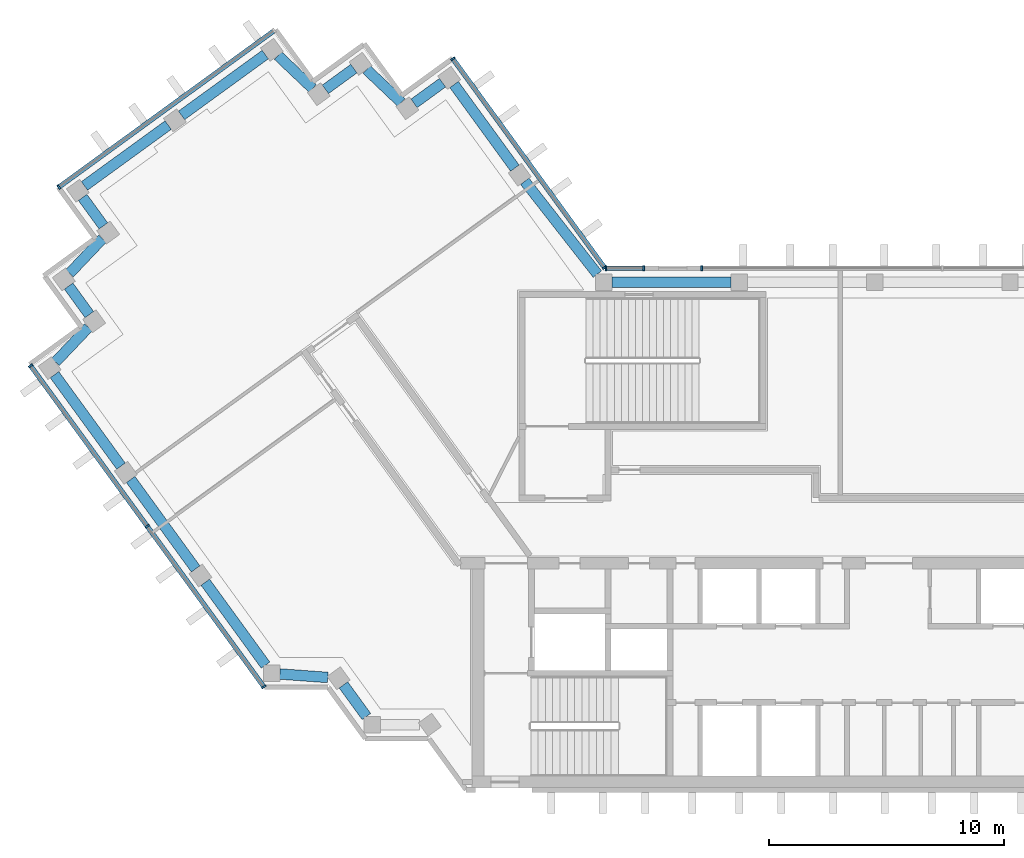
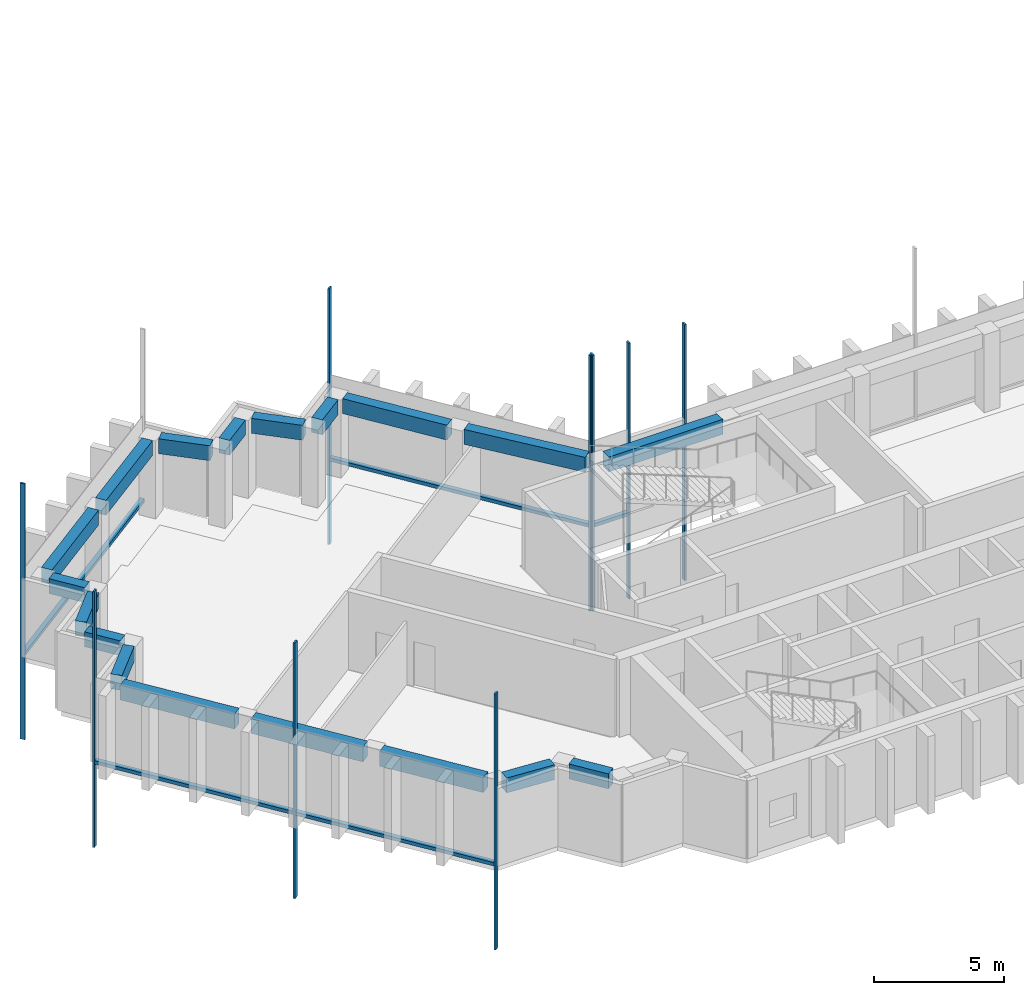
# One storey, part 2 of 14: 18 beams, 14 members, 5 elements without a shape of their own.
"""IFC4 building model written with IfcOpenShell, lengths in metres."""

from ifc_helpers import new_model, si_unit, direction, frame, origin, origin_2d, place, context, subcontext, project, spatial, rectangle, extrude, material, material_profile, profile_set, type_object, element, aggregate, save


model = new_model("IFC4")

# Units and contexts
model_context = context("Model", 3, precision=1e-05, world=origin(), true_north=direction((0.0, 1.0)))
body_context = subcontext(model_context, "Body", "Model", "MODEL_VIEW")
ifc_project = project(units=[si_unit("LENGTHUNIT", "METRE"), si_unit("AREAUNIT", "SQUARE_METRE"), si_unit("VOLUMEUNIT", "CUBIC_METRE"), si_unit("PLANEANGLEUNIT", "RADIAN"), si_unit("MASSUNIT", "GRAM", prefix="KILO")], contexts=[model_context])

# Site, building, storey
site_placement = place(None, origin())
site = spatial("IfcSite", under=ifc_project, at=site_placement, CompositionType="ELEMENT")
building_placement = place(site_placement, origin())
building = spatial("IfcBuilding", under=site, at=building_placement, Name="Quipu Civic Tower", CompositionType="ELEMENT")
storey_placement = place(building_placement, frame((0.0, 0.0, 323.0)))
storey = spatial("IfcBuildingStorey", under=building, at=storey_placement, Name="L75", CompositionType="ELEMENT", Elevation=323.0)

# Curtain wall, members
ifc_material_1 = material(Name="Insulated glass unit", Category="glass")
curtain_wall_type = type_object("IfcCurtainWallType", Name="Office curtain wall CW1", PredefinedType="NOTDEFINED", material=ifc_material_1)
curtain_wall_1_placement = place(storey_placement, origin())
curtain_wall_1 = element("IfcCurtainWall", 1, at=curtain_wall_1_placement, inside=storey, type_object=curtain_wall_type, Name="Office curtain wall CW1 L74 run 8", PredefinedType="NOTDEFINED")
ifc_material_2 = material(Name="Anodised aluminium", Category="aluminium")
ifc_material_profile_1 = material_profile(ifc_material_2, rectangle(XDim=0.199951171875, YDim=0.080078125, at=origin_2d()), Name="RECT 200x80")
ifc_profile_set_1 = profile_set([ifc_material_profile_1], Name="Anodised aluminium")
member_type_1 = type_object("IfcMemberType", Name="Mullion CW1", PredefinedType="MULLION", material=ifc_profile_set_1)
member_1_placement = place(storey_placement, frame((-14.36767578125, 11.13232421875, -3.919921875), z_axis=(0.0, 0.0, 1.0), x_axis=(-0.809015163947, -0.587787771652, 0.0)))
member_1 = element("IfcMember", 2, at=member_1_placement, type_object=member_type_1, Name="CW1 mullion 1", PredefinedType="MULLION", context=body_context, shape_type="SweptSolid", body=[
    extrude(rectangle(XDim=0.199951171875, YDim=0.080078125, at=origin_2d()), origin(), (0.0, 0.0, 1.0), 12.0),
])
member_2_placement = place(storey_placement, frame((-20.8125, 20.002685546875, -3.919921875), z_axis=(0.0, 0.0, 1.0), x_axis=(-0.809015163947, -0.587787771652, 0.0)))
member_2 = element("IfcMember", 3, at=member_2_placement, type_object=member_type_1, Name="CW1 mullion 2", PredefinedType="MULLION", context=body_context, shape_type="SweptSolid", body=[
    extrude(rectangle(XDim=0.199951171875, YDim=0.080078125, at=origin_2d()), origin(), (0.0, 0.0, 1.0), 12.0),
])

# Curtain wall, member
curtain_wall_2_placement = place(storey_placement, origin())
curtain_wall_2 = element("IfcCurtainWall", 4, at=curtain_wall_2_placement, inside=storey, type_object=curtain_wall_type, Name="Office curtain wall CW1 L74 run 13", PredefinedType="NOTDEFINED")
member_3_placement = place(storey_placement, frame((-37.569091796875, 14.552490234375, -3.919921875), z_axis=(0.0, 0.0, 1.0), x_axis=(0.587787753918, -0.809015176832, 0.0)))
member_3 = element("IfcMember", 5, at=member_3_placement, type_object=member_type_1, Name="CW1 mullion 2", PredefinedType="MULLION", context=body_context, shape_type="SweptSolid", body=[
    extrude(rectangle(XDim=0.199951171875, YDim=0.080078125, at=origin_2d()), origin(), (0.0, 0.0, 1.0), 12.0),
])

# Curtain wall, members
curtain_wall_3_placement = place(storey_placement, origin())
curtain_wall_3 = element("IfcCurtainWall", 6, at=curtain_wall_3_placement, inside=storey, type_object=curtain_wall_type, Name="Office curtain wall CW1 L74 run 18", PredefinedType="NOTDEFINED")
member_4_placement = place(storey_placement, frame((-38.772705078125, 6.953857421875, -3.919921875), z_axis=(0.0, 0.0, 1.0), x_axis=(0.809016278475, 0.587786237643, 0.0)))
member_4 = element("IfcMember", 7, at=member_4_placement, type_object=member_type_1, Name="CW1 mullion 1", PredefinedType="MULLION", context=body_context, shape_type="SweptSolid", body=[
    extrude(rectangle(XDim=0.199951171875, YDim=0.080078125, at=origin_2d()), origin(), (0.0, 0.0, 1.0), 12.0),
])
member_5_placement = place(storey_placement, frame((-33.81298828125, 0.12744140625, -3.919921875), z_axis=(0.0, 0.0, 1.0), x_axis=(0.809016278475, 0.587786237643, 0.0)))
member_5 = element("IfcMember", 8, at=member_5_placement, type_object=member_type_1, Name="CW1 mullion 2", PredefinedType="MULLION", context=body_context, shape_type="SweptSolid", body=[
    extrude(rectangle(XDim=0.199951171875, YDim=0.080078125, at=origin_2d()), origin(), (0.0, 0.0, 1.0), 12.0),
])
member_6_placement = place(storey_placement, frame((-28.853271484375, -6.698974609375, -3.919921875), z_axis=(0.0, 0.0, 1.0), x_axis=(0.809016278475, 0.587786237643, 0.0)))
member_6 = element("IfcMember", 9, at=member_6_placement, type_object=member_type_1, Name="CW1 mullion 3", PredefinedType="MULLION", context=body_context, shape_type="SweptSolid", body=[
    extrude(rectangle(XDim=0.199951171875, YDim=0.080078125, at=origin_2d()), origin(), (0.0, 0.0, 1.0), 12.0),
])

# Curtain wall, member
curtain_wall_4_placement = place(storey_placement, origin())
curtain_wall_4 = element("IfcCurtainWall", 10, at=curtain_wall_4_placement, inside=storey, type_object=curtain_wall_type, Name="Office curtain wall CW1 L74 run 36", PredefinedType="NOTDEFINED")
member_7_placement = place(storey_placement, frame((-10.223388671875, 11.10009765625, -3.919921875), z_axis=(0.0, 0.0, 1.0), x_axis=(0.0, -1.0, 0.0)))
member_7 = element("IfcMember", 11, at=member_7_placement, type_object=member_type_1, Name="CW1 mullion 3", PredefinedType="MULLION", context=body_context, shape_type="SweptSolid", body=[
    extrude(rectangle(XDim=0.199951171875, YDim=0.080078125, at=origin_2d()), origin(), (0.0, 0.0, 1.0), 12.0),
])
aggregate(curtain_wall_4, [member_7])

# Curtain wall, members
curtain_wall_5_placement = place(storey_placement, origin())
curtain_wall_5 = element("IfcCurtainWall", 12, at=curtain_wall_5_placement, inside=storey, type_object=curtain_wall_type, Name="Office curtain wall CW1 L74 run 38", PredefinedType="NOTDEFINED")
member_8_placement = place(storey_placement, frame((-12.695068359375, 11.10009765625, -3.919921875), z_axis=(0.0, 0.0, 1.0), x_axis=(0.0, -1.0, 0.0)))
member_8 = element("IfcMember", 13, at=member_8_placement, type_object=member_type_1, Name="CW1 mullion 1", PredefinedType="MULLION", context=body_context, shape_type="SweptSolid", body=[
    extrude(rectangle(XDim=0.199951171875, YDim=0.080078125, at=origin_2d()), origin(), (0.0, 0.0, 1.0), 12.0),
])
member_9_placement = place(storey_placement, frame((-14.30419921875, 11.10009765625, -3.919921875), z_axis=(0.0, 0.0, 1.0), x_axis=(0.0, -1.0, 0.0)))
member_9 = element("IfcMember", 14, at=member_9_placement, type_object=member_type_1, Name="CW1 mullion 2", PredefinedType="MULLION", context=body_context, shape_type="SweptSolid", body=[
    extrude(rectangle(XDim=0.199951171875, YDim=0.080078125, at=origin_2d()), origin(), (0.0, 0.0, 1.0), 12.0),
])

# Beams
ifc_material_3 = material(Name="Concrete C50/60", Category="concrete")
ifc_material_profile_2 = material_profile(ifc_material_3, rectangle(XDim=0.449951171875, YDim=0.699951171875, at=origin_2d()), Name="RC450x700")
ifc_profile_set_2 = profile_set([ifc_material_profile_2], Name="Concrete C50/60")
beam_type = type_object("IfcBeamType", Name="Spandrel beam RC 450x700 C50/60", PredefinedType="SPANDREL", material=ifc_profile_set_2)
beam_1_placement = place(storey_placement, frame((-18.179443359375, 15.358154296875, 3.300048828125), z_axis=(-0.588201428764, 0.808714460857, 0.0), x_axis=(-0.808714460857, -0.588201428764, 0.0)))
element("IfcBeam", 15, at=beam_1_placement, inside=storey, type_object=beam_type, Name="Spandrel beam L75 W-IN-01 to T-Wi.0-W22", PredefinedType="SPANDREL", context=body_context, shape_type="SweptSolid", body=[
    extrude(rectangle(XDim=0.449951171875, YDim=0.699951171875, at=origin_2d()), origin(), (0.0, 0.0, 1.0), 4.394287109375),
])
beam_2_placement = place(storey_placement, frame((-21.25341796875, 18.989501953125, 3.300048828125), z_axis=(-0.809461336076, -0.587173181776, 0.0), x_axis=(0.587173181776, -0.809461336076, 0.0)))
element("IfcBeam", 16, at=beam_2_placement, inside=storey, type_object=beam_type, Name="Spandrel beam L75 T-Wi.0-W22 to T-Wi.1-W22", PredefinedType="SPANDREL", context=body_context, shape_type="SweptSolid", body=[
    extrude(rectangle(XDim=0.449951171875, YDim=0.699951171875, at=origin_2d()), origin(), (0.0, 0.0, 1.0), 1.498046875),
])
beam_3_placement = place(storey_placement, frame((-23.00732421875, 18.1494140625, 3.300048828125), z_axis=(-0.72511931772, 0.6886232461, 0.0), x_axis=(-0.6886232461, -0.72511931772, 0.0)))
element("IfcBeam", 17, at=beam_3_placement, inside=storey, type_object=beam_type, Name="Spandrel beam L75 T-Wi.1-W22 to T-Wi.2-W22", PredefinedType="SPANDREL", context=body_context, shape_type="SweptSolid", body=[
    extrude(rectangle(XDim=0.449951171875, YDim=0.699951171875, at=origin_2d()), origin(), (0.0, 0.0, 1.0), 2.03369140625),
])
beam_4_placement = place(storey_placement, frame((-25.02294921875, 19.589111328125, 3.300048828125), z_axis=(-0.808644589435, -0.588297482553, 0.0), x_axis=(0.588297482553, -0.808644589435, 0.0)))
element("IfcBeam", 18, at=beam_4_placement, inside=storey, type_object=beam_type, Name="Spandrel beam L75 T-Wi.2-W22 to T-Wi.3-W22", PredefinedType="SPANDREL", context=body_context, shape_type="SweptSolid", body=[
    extrude(rectangle(XDim=0.449951171875, YDim=0.699951171875, at=origin_2d()), origin(), (0.0, 0.0, 1.0), 1.500244140625),
])
beam_5_placement = place(storey_placement, frame((-26.777099609375, 18.74560546875, 3.300048828125), z_axis=(-0.725359138958, 0.688370626574, 0.0), x_axis=(-0.688370626574, -0.725359138958, 0.0)))
element("IfcBeam", 19, at=beam_5_placement, inside=storey, type_object=beam_type, Name="Spandrel beam L75 T-Wi.3-W22 to T-Wi.4-W22", PredefinedType="SPANDREL", context=body_context, shape_type="SweptSolid", body=[
    extrude(rectangle(XDim=0.449951171875, YDim=0.699951171875, at=origin_2d()), origin(), (0.0, 0.0, 1.0), 2.032958984375),
])
beam_6_placement = place(storey_placement, frame((-28.793212890625, 20.184326171875, 3.300048828125), z_axis=(-0.809146152767, -0.587607439931, 0.0), x_axis=(0.587607439931, -0.809146152767, 0.0)))
element("IfcBeam", 20, at=beam_6_placement, inside=storey, type_object=beam_type, Name="Spandrel beam L75 T-Wi.4-W22 to TIP-W-01-W22", PredefinedType="SPANDREL", context=body_context, shape_type="SweptSolid", body=[
    extrude(rectangle(XDim=0.449951171875, YDim=0.699951171875, at=origin_2d()), origin(), (0.0, 0.0, 1.0), 4.400390625),
])
beam_7_placement = place(storey_placement, frame((-32.920166015625, 17.187255859375, 3.300048828125), z_axis=(-0.809117270763, -0.587647208921, 0.0), x_axis=(0.587647208921, -0.809117270763, 0.0)))
element("IfcBeam", 21, at=beam_7_placement, inside=storey, type_object=beam_type, Name="Spandrel beam L75 TIP-W-01-W22 to T-Wo.0-W22", PredefinedType="SPANDREL", context=body_context, shape_type="SweptSolid", body=[
    extrude(rectangle(XDim=0.449951171875, YDim=0.699951171875, at=origin_2d()), origin(), (0.0, 0.0, 1.0), 4.40185546875),
])
beam_8_placement = place(storey_placement, frame((-36.55908203125, 14.112060546875, 3.300048828125), z_axis=(0.588345920092, -0.808609348394, 0.0), x_axis=(0.808609348394, 0.588345920092, 0.0)))
element("IfcBeam", 22, at=beam_8_placement, inside=storey, type_object=beam_type, Name="Spandrel beam L75 T-Wo.0-W22 to T-Wo.1-W22", PredefinedType="SPANDREL", context=body_context, shape_type="SweptSolid", body=[
    extrude(rectangle(XDim=0.449951171875, YDim=0.699951171875, at=origin_2d()), origin(), (0.0, 0.0, 1.0), 1.499755859375),
])
beam_9_placement = place(storey_placement, frame((-35.7158203125, 12.358154296875, 3.300048828125), z_axis=(-0.688247466856, -0.725475998477, 0.0), x_axis=(0.725475998477, -0.688247466856, 0.0)))
element("IfcBeam", 23, at=beam_9_placement, inside=storey, type_object=beam_type, Name="Spandrel beam L75 T-Wo.1-W22 to T-Wo.2-W22", PredefinedType="SPANDREL", context=body_context, shape_type="SweptSolid", body=[
    extrude(rectangle(XDim=0.449951171875, YDim=0.699951171875, at=origin_2d()), origin(), (0.0, 0.0, 1.0), 2.032958984375),
])
beam_10_placement = place(storey_placement, frame((-37.154541015625, 10.341796875, 3.300048828125), z_axis=(0.587164895097, -0.809467347066, 0.0), x_axis=(0.809467347066, 0.587164895097, 0.0)))
element("IfcBeam", 24, at=beam_10_placement, inside=storey, type_object=beam_type, Name="Spandrel beam L75 T-Wo.2-W22 to T-Wo.3-W22", PredefinedType="SPANDREL", context=body_context, shape_type="SweptSolid", body=[
    extrude(rectangle(XDim=0.449951171875, YDim=0.699951171875, at=origin_2d()), origin(), (0.0, 0.0, 1.0), 1.500244140625),
])
beam_11_placement = place(storey_placement, frame((-36.3134765625, 8.586181640625, 3.300048828125), z_axis=(-0.689175330605, -0.724594620244, 0.0), x_axis=(0.724594620244, -0.689175330605, 0.0)))
element("IfcBeam", 25, at=beam_11_placement, inside=storey, type_object=beam_type, Name="Spandrel beam L75 T-Wo.3-W22 to T-Wo.4-W22", PredefinedType="SPANDREL", context=body_context, shape_type="SweptSolid", body=[
    extrude(rectangle(XDim=0.449951171875, YDim=0.699951171875, at=origin_2d()), origin(), (0.0, 0.0, 1.0), 2.033447265625),
])
beam_12_placement = place(storey_placement, frame((-37.754150390625, 6.57177734375, 3.300048828125), z_axis=(0.587905928359, -0.808929304328, 0.0), x_axis=(0.808929304328, 0.587905928359, 0.0)))
element("IfcBeam", 26, at=beam_12_placement, inside=storey, type_object=beam_type, Name="Spandrel beam L75 T-Wo.4-W22 to W-OUT-02", PredefinedType="SPANDREL", context=body_context, shape_type="SweptSolid", body=[
    extrude(rectangle(XDim=0.449951171875, YDim=0.699951171875, at=origin_2d()), origin(), (0.0, 0.0, 1.0), 4.80712890625),
])
beam_13_placement = place(storey_placement, frame((-34.5166015625, 2.116943359375, 3.300048828125), z_axis=(0.587788656305, -0.809014521204, 0.0), x_axis=(0.809014521204, 0.587788656305, 0.0)))
element("IfcBeam", 27, at=beam_13_placement, inside=storey, type_object=beam_type, Name="Spandrel beam L75 W-OUT-02 to W-OUT-01", PredefinedType="SPANDREL", context=body_context, shape_type="SweptSolid", body=[
    extrude(rectangle(XDim=0.449951171875, YDim=0.699951171875, at=origin_2d()), origin(), (0.0, 0.0, 1.0), 4.7001953125),
])
beam_14_placement = place(storey_placement, frame((-31.342529296875, -2.251953125, 3.300048828125), z_axis=(0.58777550284, -0.809024077677, 0.0), x_axis=(0.809024077677, 0.58777550284, 0.0)))
element("IfcBeam", 28, at=beam_14_placement, inside=storey, type_object=beam_type, Name="Spandrel beam L75 W-OUT-01 to J-Wo.0", PredefinedType="SPANDREL", context=body_context, shape_type="SweptSolid", body=[
    extrude(rectangle(XDim=0.449951171875, YDim=0.699951171875, at=origin_2d()), origin(), (0.0, 0.0, 1.0), 4.36083984375),
])
beam_15_placement = place(storey_placement, frame((-28.175048828125, -6.155517578125, 3.300048828125), z_axis=(0.99737333325, -0.072432272649, 0.0), x_axis=(0.072432272649, 0.99737333325, 0.0)))
element("IfcBeam", 29, at=beam_15_placement, inside=storey, type_object=beam_type, Name="Spandrel beam L75 J-Wo.0 to J-Wo.1", PredefinedType="SPANDREL", context=body_context, shape_type="SweptSolid", body=[
    extrude(rectangle(XDim=0.449951171875, YDim=0.699951171875, at=origin_2d()), origin(), (0.0, 0.0, 1.0), 2.04931640625),
])
beam_16_placement = place(storey_placement, frame((-25.468505859375, -6.6201171875, 3.300048828125), z_axis=(0.588407300614, -0.80856468423, 0.0), x_axis=(0.80856468423, 0.588407300614, 0.0)))
element("IfcBeam", 30, at=beam_16_placement, inside=storey, type_object=beam_type, Name="Spandrel beam L75 J-Wo.1 to J-Wo.2", PredefinedType="SPANDREL", context=body_context, shape_type="SweptSolid", body=[
    extrude(rectangle(XDim=0.449951171875, YDim=0.699951171875, at=origin_2d()), origin(), (0.0, 0.0, 1.0), 1.663330078125),
])
beam_17_placement = place(storey_placement, frame((-8.987060546875, 10.5, 3.300048828125), z_axis=(-1.0, 0.0, 0.0), x_axis=(0.0, -1.0, 0.0)))
element("IfcBeam", 31, at=beam_17_placement, inside=storey, type_object=beam_type, Name="Spandrel beam L75 FRONT-04 to J-Wi.0", PredefinedType="SPANDREL", context=body_context, shape_type="SweptSolid", body=[
    extrude(rectangle(XDim=0.449951171875, YDim=0.699951171875, at=origin_2d()), origin(), (0.0, 0.0, 1.0), 5.05810546875),
])
beam_18_placement = place(storey_placement, frame((-14.6689453125, 10.85009765625, 3.300048828125), z_axis=(-0.616106034519, 0.787663223865, 0.0), x_axis=(-0.787663223865, -0.616106034519, 0.0)))
element("IfcBeam", 32, at=beam_18_placement, inside=storey, type_object=beam_type, Name="Spandrel beam L75 J-Wi.0 to W-IN-01", PredefinedType="SPANDREL", context=body_context, shape_type="SweptSolid", body=[
    extrude(rectangle(XDim=0.449951171875, YDim=0.699951171875, at=origin_2d()), origin(), (0.0, 0.0, 1.0), 5.013427734375),
])

# Member
ifc_material_4 = material(Name="Anodised aluminium", Category="aluminium")
ifc_material_profile_3 = material_profile(ifc_material_4, rectangle(XDim=0.199951171875, YDim=0.159912109375, at=origin_2d()), Name="RECT 200x160")
ifc_profile_set_3 = profile_set([ifc_material_profile_3], Name="Anodised aluminium")
member_type_2 = type_object("IfcMemberType", Name="Transom CW1", PredefinedType="USERDEFINED", material=ifc_profile_set_3)
member_10_placement = place(storey_placement, frame((-14.39111328125, 11.164794921875, 0.080078125), z_axis=(-0.587796859727, 0.809008560953, 0.0), x_axis=(-0.809008560953, -0.587796859727, 0.0)))
member_10 = element("IfcMember", 33, at=member_10_placement, type_object=member_type_2, Name="CW1 transom 1.2", ObjectType="TRANSOM", PredefinedType="USERDEFINED", context=body_context, shape_type="SweptSolid", body=[
    extrude(rectangle(XDim=0.199951171875, YDim=0.159912109375, at=origin_2d()), origin(), (0.0, 0.0, 1.0), 10.88427734375),
])

aggregate(curtain_wall_1, [member_1, member_2, member_10])

member_11_placement = place(storey_placement, frame((-28.443359375, 21.1826171875, 0.080078125), z_axis=(-0.809022463805, -0.587777724194, 0.0), x_axis=(0.587777724194, -0.809022463805, 0.0)))
member_11 = element("IfcMember", 34, at=member_11_placement, type_object=member_type_2, Name="CW1 transom 1.2", ObjectType="TRANSOM", PredefinedType="USERDEFINED", context=body_context, shape_type="SweptSolid", body=[
    extrude(rectangle(XDim=0.199951171875, YDim=0.159912109375, at=origin_2d()), origin(), (0.0, 0.0, 1.0), 11.240234375),
])

aggregate(curtain_wall_2, [member_3, member_11])

member_12_placement = place(storey_placement, frame((-38.7490234375, 6.92138671875, 0.080078125), z_axis=(0.587779098815, -0.809021465102, 0.0), x_axis=(0.809021465102, 0.587779098815, 0.0)))
member_12 = element("IfcMember", 35, at=member_12_placement, type_object=member_type_2, Name="CW1 transom 1.2", ObjectType="TRANSOM", PredefinedType="USERDEFINED", context=body_context, shape_type="SweptSolid", body=[
    extrude(rectangle(XDim=0.199951171875, YDim=0.159912109375, at=origin_2d()), origin(), (0.0, 0.0, 1.0), 8.35791015625),
])

member_13_placement = place(storey_placement, frame((-33.78955078125, 0.094970703125, 0.080078125), z_axis=(0.587812107925, -0.808997481935, 0.0), x_axis=(0.808997481935, 0.587812107925, 0.0)))
member_13 = element("IfcMember", 36, at=member_13_placement, type_object=member_type_2, Name="CW1 transom 2.2", ObjectType="TRANSOM", PredefinedType="USERDEFINED", context=body_context, shape_type="SweptSolid", body=[
    extrude(rectangle(XDim=0.199951171875, YDim=0.159912109375, at=origin_2d()), origin(), (0.0, 0.0, 1.0), 8.35791015625),
])

aggregate(curtain_wall_3, [member_4, member_5, member_6, member_12, member_13])

member_14_placement = place(storey_placement, frame((-12.735107421875, 11.10009765625, 0.080078125), z_axis=(-1.0, 0.0, 0.0), x_axis=(0.0, -1.0, 0.0)))
member_14 = element("IfcMember", 37, at=member_14_placement, type_object=member_type_2, Name="CW1 transom 1.2", ObjectType="TRANSOM", PredefinedType="USERDEFINED", context=body_context, shape_type="SweptSolid", body=[
    extrude(rectangle(XDim=0.199951171875, YDim=0.159912109375, at=origin_2d()), origin(), (0.0, 0.0, 1.0), 1.529052734375),
])

aggregate(curtain_wall_5, [member_8, member_9, member_14])

save(model, "model.ifc")
